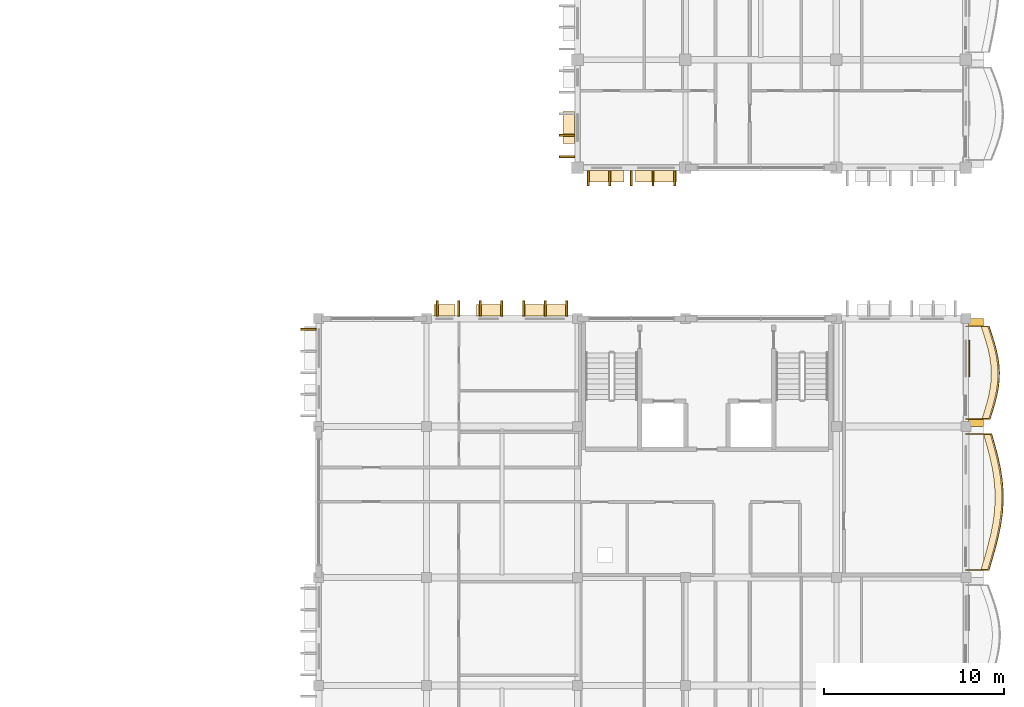
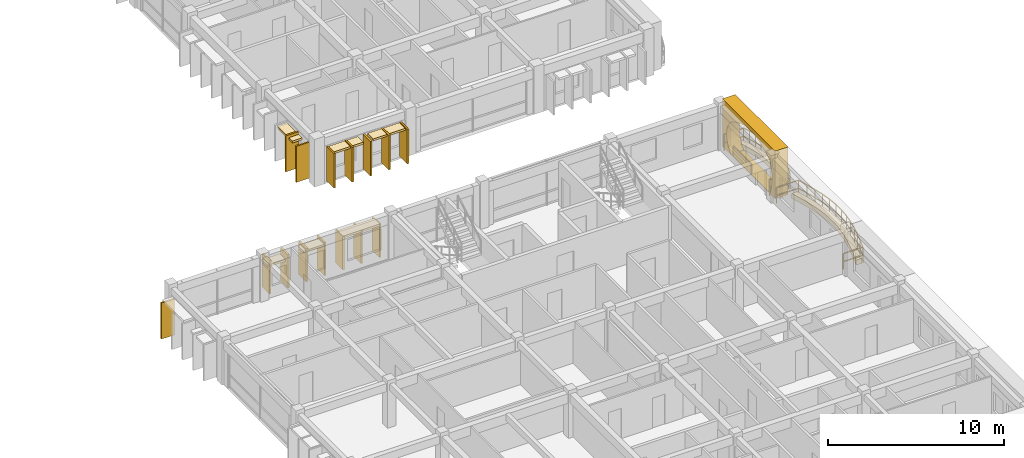
# One storey, part 73 of 79: 25 coverings, 2 railings.
"""IFC4 building model written with IfcOpenShell, lengths in metres."""

from ifc_helpers import new_model, si_unit, direction, frame, origin, origin_2d, place, context, subcontext, project, spatial, polyline, rectangle, outline, extrude, material, layer, layer_set, type_object, element, save


model = new_model("IFC4")

# Units and contexts
model_context = context("Model", 3, precision=1e-05, world=origin(), true_north=direction((0.0, 1.0)))
body_context = subcontext(model_context, "Body", "Model", "MODEL_VIEW")
ifc_project = project(units=[si_unit("LENGTHUNIT", "METRE"), si_unit("AREAUNIT", "SQUARE_METRE"), si_unit("VOLUMEUNIT", "CUBIC_METRE"), si_unit("PLANEANGLEUNIT", "RADIAN"), si_unit("MASSUNIT", "GRAM", prefix="KILO"), si_unit("THERMODYNAMICTEMPERATUREUNIT", "KELVIN")], contexts=[model_context])

# Site, building, storey
site_placement = place(None, origin())
site = spatial("IfcSite", under=ifc_project, at=site_placement, CompositionType="ELEMENT")
building_placement = place(site_placement, origin())
building = spatial("IfcBuilding", under=site, at=building_placement, Name="Thalorik Housing Commons", CompositionType="ELEMENT")
storey_placement = place(building_placement, frame((0.0, 0.0, 11.39990234375)))
storey = spatial("IfcBuildingStorey", under=building, at=storey_placement, Name="L03", CompositionType="ELEMENT", Elevation=11.39990234375)

# Coverings
ifc_material_1 = material(Name="Precast concrete C40/50", Category="concrete")
ifc_layer_1 = layer(ifc_material_1, 0.85009765625, Name="Precast concrete C40/50", Category="concrete")
ifc_layer_set_1 = layer_set([ifc_layer_1], Name="Precast concrete C40/50")
covering_type_1 = type_object("IfcCoveringType", Name="ARC-CLD-CUSH-850", PredefinedType="CLADDING", material=ifc_layer_set_1)
covering_1_placement = place(storey_placement, frame((174.570068359375, 69.0, 0.0), z_axis=(0.0, 0.0, 1.0), x_axis=(0.0, 1.0, 0.0)))
element("IfcCovering", 1, at=covering_1_placement, inside=storey, type_object=covering_type_1, Name="L03 White Precast Curved Cushion Bay Frame 4748", PredefinedType="CLADDING", context=body_context, shape_type="SweptSolid", body=[
    extrude(outline(polyline([(-3.0, 0.0), (3.0, 0.0), (3.0, 3.300048828125), (-3.0, 3.300048828125), (-3.0, 0.0)]), holes=[polyline([(2.0400390625, 0.02490234375), (2.3232421875, 0.40087890625), (2.493408203125, 0.776611328125), (2.550048828125, 1.152587890625), (2.493408203125, 1.5283203125), (2.3232421875, 1.904296875), (2.0400390625, 2.280029296875), (1.66748046875, 2.51123046875), (1.294921875, 2.693115234375), (0.922607421875, 2.840087890625), (0.550048828125, 2.94970703125), (0.177490234375, 3.01708984375), (-0.195068359375, 3.0400390625), (-0.5673828125, 3.01708984375), (-0.93994140625, 2.94970703125), (-1.3125, 2.840087890625), (-1.68505859375, 2.693115234375), (-2.0576171875, 2.51123046875), (-2.429931640625, 2.280029296875), (-2.55029296875, 1.904296875), (-2.62255859375, 1.5283203125), (-2.646484375, 1.152587890625), (-2.62255859375, 0.776611328125), (-2.55029296875, 0.40087890625), (-2.429931640625, 0.02490234375), (2.0400390625, 0.02490234375)])]), frame((0.0, 0.425048828125, 0.0), z_axis=(0.0, -1.0, 0.0), x_axis=(1.0, 0.0, 0.0)), (0.0, 0.0, 1.0), 0.85009765625),
])
ifc_layer_2 = layer(ifc_material_1, 0.85009765625, Name="Precast concrete C40/50", Category="concrete")
ifc_layer_set_2 = layer_set([ifc_layer_2], Name="Precast concrete C40/50")
covering_type_2 = type_object("IfcCoveringType", Name="ARC-CLD-FIN-850", PredefinedType="CLADDING", material=ifc_layer_set_2)
for number, where, z_axis, x_axis, name in (
    (2, (151.81494140625, 82.199951171875, 0.0400390625), (0.0, 0.0, 1.0), (0.0, -1.0, 0.0), "L03 Courtyard Precast Vertical Brise-Soleil Fin 1981"),
    (3, (151.81494140625, 81.0, 0.0400390625), (0.0, 0.0, 1.0), (0.0, -1.0, 0.0), "L03 Courtyard Precast Vertical Brise-Soleil Fin 1982"),
):
    element("IfcCovering", number, at=place(storey_placement, frame(where, z_axis=z_axis, x_axis=x_axis)), inside=storey, type_object=covering_type_2, Name=name, PredefinedType="CLADDING", context=body_context, shape_type="SweptSolid", body=[
        extrude(rectangle(XDim=0.110107421875, YDim=0.85009765625, at=origin_2d()), origin(), (0.0, 0.0, 1.0), 2.4951171875),
    ])
for number, where, z_axis, x_axis, name in (
    (4, (153.0, 79.81494140625, 0.0400390625), (0.0, 0.0, 1.0), (1.0, 0.0, 0.0), "L03 Courtyard Precast Vertical Brise-Soleil Fin 1985"),
    (5, (154.199951171875, 79.81494140625, 0.0400390625), (0.0, 0.0, 1.0), (1.0, 0.0, 0.0), "L03 Courtyard Precast Vertical Brise-Soleil Fin 1986"),
    (6, (155.39990234375, 79.81494140625, 0.0400390625), (0.0, 0.0, 1.0), (1.0, 0.0, 0.0), "L03 Courtyard Precast Vertical Brise-Soleil Fin 1987"),
    (7, (156.60009765625, 79.81494140625, 0.0400390625), (0.0, 0.0, 1.0), (1.0, 0.0, 0.0), "L03 Courtyard Precast Vertical Brise-Soleil Fin 1988"),
    (8, (157.800048828125, 79.81494140625, 0.0400390625), (0.0, 0.0, 1.0), (1.0, 0.0, 0.0), "L03 Courtyard Precast Vertical Brise-Soleil Fin 1989"),
):
    element("IfcCovering", number, at=place(storey_placement, frame(where, z_axis=z_axis, x_axis=x_axis)), inside=storey, type_object=covering_type_2, Name=name, PredefinedType="CLADDING", context=body_context, shape_type="SweptSolid", body=[
        extrude(rectangle(XDim=0.110107421875, YDim=0.85009765625, at=origin_2d()), origin(), (0.0, 0.0, 1.0), 2.39501953125),
    ])
for number, where, z_axis, x_axis, name in (
    (9, (151.800048828125, 72.570068359375, 0.0400390625), (0.0, 0.0, 1.0), (-1.0, 0.0, 0.0), "L03 Courtyard Precast Vertical Brise-Soleil Fin 4690"),
    (10, (150.60009765625, 72.570068359375, 0.0400390625), (0.0, 0.0, 1.0), (-1.0, 0.0, 0.0), "L03 Courtyard Precast Vertical Brise-Soleil Fin 4691"),
    (11, (149.39990234375, 72.570068359375, 0.0400390625), (0.0, 0.0, 1.0), (-1.0, 0.0, 0.0), "L03 Courtyard Precast Vertical Brise-Soleil Fin 4692"),
    (12, (148.199951171875, 72.570068359375, 0.0400390625), (0.0, 0.0, 1.0), (-1.0, 0.0, 0.0), "L03 Courtyard Precast Vertical Brise-Soleil Fin 4693"),
    (13, (147.0, 72.570068359375, 0.0400390625), (0.0, 0.0, 1.0), (-1.0, 0.0, 0.0), "L03 Courtyard Precast Vertical Brise-Soleil Fin 4694"),
    (14, (145.800048828125, 72.570068359375, 0.0400390625), (0.0, 0.0, 1.0), (-1.0, 0.0, 0.0), "L03 Courtyard Precast Vertical Brise-Soleil Fin 4695"),
    (15, (144.60009765625, 72.570068359375, 0.0400390625), (0.0, 0.0, 1.0), (-1.0, 0.0, 0.0), "L03 Courtyard Precast Vertical Brise-Soleil Fin 4696"),
):
    element("IfcCovering", number, at=place(storey_placement, frame(where, z_axis=z_axis, x_axis=x_axis)), inside=storey, type_object=covering_type_2, Name=name, PredefinedType="CLADDING", context=body_context, shape_type="SweptSolid", body=[
        extrude(rectangle(XDim=0.110107421875, YDim=0.85009765625, at=origin_2d()), origin(), (0.0, 0.0, 1.0), 2.294921875),
    ])
covering_2_placement = place(storey_placement, frame((137.429931640625, 71.39990234375, 0.0400390625), z_axis=(0.0, 0.0, 1.0), x_axis=(0.0, -1.0, 0.0)))
element("IfcCovering", 16, at=covering_2_placement, inside=storey, type_object=covering_type_2, Name="L03 Courtyard Precast Vertical Brise-Soleil Fin 4700", PredefinedType="CLADDING", context=body_context, shape_type="SweptSolid", body=[
    extrude(rectangle(XDim=0.110107421875, YDim=0.85009765625, at=origin_2d()), origin(), (0.0, 0.0, 1.0), 2.4951171875),
])
ifc_layer_3 = layer(ifc_material_1, 0.64990234375, Name="Precast concrete C40/50", Category="concrete")
ifc_layer_set_3 = layer_set([ifc_layer_3], Name="Precast concrete C40/50")
covering_type_3 = type_object("IfcCoveringType", Name="ARC-CLD-HOOD-650", PredefinedType="CLADDING", material=ifc_layer_set_3)
covering_3_placement = place(storey_placement, frame((151.9150390625, 82.6298828125, 2.2099609375), z_axis=(0.0, 0.0, 1.0), x_axis=(0.0, -1.0, 0.0)))
element("IfcCovering", 17, at=covering_3_placement, inside=storey, type_object=covering_type_3, Name="L03 Courtyard Precast Window Sun-Hood 1984", PredefinedType="CLADDING", context=body_context, shape_type="SweptSolid", body=[
    extrude(rectangle(XDim=1.760009765625, YDim=0.64990234375, at=origin_2d()), origin(), (0.0, 0.0, 1.0), 0.139892578125),
])
covering_4_placement = place(storey_placement, frame((154.030029296875, 79.9150390625, 2.25), z_axis=(0.0, 0.0, 1.0), x_axis=(1.0, 0.0, 0.0)))
element("IfcCovering", 18, at=covering_4_placement, inside=storey, type_object=covering_type_3, Name="L03 Courtyard Precast Window Sun-Hood 1990", PredefinedType="CLADDING", context=body_context, shape_type="SweptSolid", body=[
    extrude(rectangle(XDim=1.919921875, YDim=0.64990234375, at=origin_2d()), origin(), (0.0, 0.0, 1.0), 0.139892578125),
])
covering_5_placement = place(storey_placement, frame((156.77001953125, 79.9150390625, 2.25), z_axis=(0.0, 0.0, 1.0), x_axis=(1.0, 0.0, 0.0)))
element("IfcCovering", 19, at=covering_5_placement, inside=storey, type_object=covering_type_3, Name="L03 Courtyard Precast Window Sun-Hood 1991", PredefinedType="CLADDING", context=body_context, shape_type="SweptSolid", body=[
    extrude(rectangle(XDim=2.280029296875, YDim=0.64990234375, at=origin_2d()), origin(), (0.0, 0.0, 1.0), 0.139892578125),
])
covering_6_placement = place(storey_placement, frame((150.5751953125, 72.469970703125, 2.22509765625), z_axis=(0.0, 0.0, 1.0), x_axis=(-1.0, 0.0, 0.0)))
element("IfcCovering", 20, at=covering_6_placement, inside=storey, type_object=covering_type_3, Name="L03 Courtyard Precast Window Sun-Hood 4697", PredefinedType="CLADDING", context=body_context, shape_type="SweptSolid", body=[
    extrude(rectangle(XDim=2.419921875, YDim=0.64990234375, at=origin_2d()), origin(), (0.0, 0.0, 1.0), 0.139892578125),
])
covering_7_placement = place(storey_placement, frame((147.4453125, 72.469970703125, 2.09033203125), z_axis=(0.0, 0.0, 1.0), x_axis=(-1.0, 0.0, 0.0)))
element("IfcCovering", 21, at=covering_7_placement, inside=storey, type_object=covering_type_3, Name="L03 Courtyard Precast Window Sun-Hood 4698", PredefinedType="CLADDING", context=body_context, shape_type="SweptSolid", body=[
    extrude(rectangle(XDim=1.340087890625, YDim=0.64990234375, at=origin_2d()), origin(), (0.0, 0.0, 1.0), 0.139892578125),
])
covering_8_placement = place(storey_placement, frame((145.000244140625, 72.469970703125, 1.93994140625), z_axis=(0.0, 0.0, 1.0), x_axis=(-1.0, 0.0, 0.0)))
element("IfcCovering", 22, at=covering_8_placement, inside=storey, type_object=covering_type_3, Name="L03 Courtyard Precast Window Sun-Hood 4699", PredefinedType="CLADDING", context=body_context, shape_type="SweptSolid", body=[
    extrude(rectangle(XDim=1.18994140625, YDim=0.64990234375, at=origin_2d()), origin(), (0.0, 0.0, 1.0), 0.139892578125),
])
ifc_material_2 = material(Name="Mineral ochre architectural terracotta panel", Category="masonry")
ifc_layer_4 = layer(ifc_material_2, 0.06494140625, Name="Mineral ochre architectural terracotta panel", Category="masonry")
ifc_layer_set_4 = layer_set([ifc_layer_4], Name="Mineral ochre architectural terracotta panel")
covering_type_4 = type_object("IfcCoveringType", Name="ARC-CLD-YEL-65", PredefinedType="CLADDING", material=ifc_layer_set_4)
covering_9_placement = place(storey_placement, frame((174.1826171875, 69.7900390625, 0.05029296875), z_axis=(0.0, 0.0, 1.0), x_axis=(0.0, 1.0, 0.0)))
element("IfcCovering", 23, at=covering_9_placement, inside=storey, type_object=covering_type_4, Name="L03 De Stijl Recessed Window Spandrel 4749", PredefinedType="CLADDING", context=body_context, shape_type="SweptSolid", body=[
    extrude(rectangle(XDim=2.0400390625, YDim=0.06494140625, at=origin_2d()), origin(), (0.0, 0.0, 1.0), 0.699951171875),
])
ifc_material_3 = material(Name="Planted vegetated substrate and terracotta trough", Category="masonry")
ifc_layer_5 = layer(ifc_material_3, 0.340087890625, Name="Planted vegetated substrate and terracotta trough", Category="masonry")
ifc_layer_set_5 = layer_set([ifc_layer_5], Name="Planted vegetated substrate and terracotta trough")
covering_type_5 = type_object("IfcCoveringType", Name="ARC-COV-PLANTER", PredefinedType="USERDEFINED", material=ifc_layer_set_5)
covering_10_placement = place(storey_placement, origin())
element("IfcCovering", 24, at=covering_10_placement, inside=storey, type_object=covering_type_5, Name="L03 Balcony Slab-Edge Planted Trough 5658", ObjectType="PLANTER", PredefinedType="USERDEFINED", context=body_context, shape_type="SweptSolid", body=[
    extrude(outline(polyline([(175.219482421875, 58.02001953125), (175.40478515625, 58.64990234375), (175.583251953125, 59.280029296875), (175.74267578125, 59.909912109375), (175.87158203125, 60.5400390625), (175.961181640625, 61.169921875), (176.00537109375, 61.800048828125), (176.000732421875, 62.429931640625), (175.947509765625, 63.06005859375), (175.84912109375, 63.68994140625), (175.71240234375, 64.320068359375), (175.546875, 64.949951171875), (175.36376953125, 65.580078125), (174.98388671875, 65.580078125), (175.1669921875, 64.949951171875), (175.33251953125, 64.320068359375), (175.468994140625, 63.68994140625), (175.5673828125, 63.06005859375), (175.62060546875, 62.429931640625), (175.62548828125, 61.800048828125), (175.581298828125, 61.169921875), (175.49169921875, 60.5400390625), (175.362548828125, 59.909912109375), (175.203369140625, 59.280029296875), (175.02490234375, 58.64990234375), (174.83935546875, 58.02001953125), (175.219482421875, 58.02001953125)])), origin(), (0.0, 0.0, 1.0), 0.340087890625),
])
covering_11_placement = place(storey_placement, origin())
element("IfcCovering", 25, at=covering_11_placement, inside=storey, type_object=covering_type_5, Name="L03 Balcony Slab-Edge Planted Trough 5659", ObjectType="PLANTER", PredefinedType="USERDEFINED", context=body_context, shape_type="SweptSolid", body=[
    extrude(outline(polyline([(175.27734375, 66.419921875), (175.414306640625, 66.85009765625), (175.5419921875, 67.280029296875), (175.65087890625, 67.7099609375), (175.7333984375, 68.139892578125), (175.782958984375, 68.570068359375), (175.796142578125, 69.0), (175.771484375, 69.429931640625), (175.710693359375, 69.860107421875), (175.6181640625, 70.2900390625), (175.5, 70.719970703125), (175.364501953125, 71.14990234375), (175.2216796875, 71.580078125), (174.841796875, 71.580078125), (174.984619140625, 71.14990234375), (175.119873046875, 70.719970703125), (175.238037109375, 70.2900390625), (175.330810546875, 69.860107421875), (175.3916015625, 69.429931640625), (175.416015625, 69.0), (175.403076171875, 68.570068359375), (175.353271484375, 68.139892578125), (175.27099609375, 67.7099609375), (175.161865234375, 67.280029296875), (175.0341796875, 66.85009765625), (174.897216796875, 66.419921875), (175.27734375, 66.419921875)])), origin(), (0.0, 0.0, 1.0), 0.340087890625),
])

# Railings
ifc_material_4 = material(Name="Steel S355", Category="steel")
railing_type_1 = type_object("IfcRailingType", Name="ARC-RL-BAL-112", PredefinedType="BALUSTRADE", material=ifc_material_4)
railing_1_placement = place(storey_placement, frame((174.0, 58.02001953125, 0.0)))
element("IfcRailing", 26, at=railing_1_placement, inside=storey, type_object=railing_type_1, Name="L03 Cushion Balcony Guardrail 342", PredefinedType="BALUSTRADE", context=body_context, shape_type="SweptSolid", body=[
    extrude(rectangle(XDim=0.050048828125, YDim=0.050048828125, at=origin_2d()), frame((0.0, 0.0, 1.09521484375), z_axis=(1.0, 0.0, 0.0), x_axis=(0.0, 1.0, 0.0)), (0.0, 0.0, 1.0), 1.289306640625),
    extrude(rectangle(XDim=0.050048828125, YDim=0.050048828125, at=origin_2d()), frame((0.0, 0.0, 0.53515625), z_axis=(1.0, 0.0, 0.0), x_axis=(0.0, 1.0, 0.0)), (0.0, 0.0, 1.0), 1.289306640625),
    extrude(rectangle(XDim=0.050048828125, YDim=0.050048828125, at=origin_2d()), frame((1.289306640625, 0.0, 1.09521484375), z_axis=(0.282568886397, 0.959247009086, 0.0), x_axis=(-0.959247009086, 0.282568886397, 0.0)), (0.0, 0.0, 1.0), 0.65673828125),
    extrude(rectangle(XDim=0.050048828125, YDim=0.050048828125, at=origin_2d()), frame((1.289306640625, 0.0, 0.53515625), z_axis=(0.282568886397, 0.959247009086, 0.0), x_axis=(-0.959247009086, 0.282568886397, 0.0)), (0.0, 0.0, 1.0), 0.65673828125),
    extrude(rectangle(XDim=0.050048828125, YDim=0.050048828125, at=origin_2d()), frame((1.474853515625, 0.6298828125, 1.09521484375), z_axis=(0.272504798034, 0.962154423702, 0.0), x_axis=(-0.962154423702, 0.272504798034, 0.0)), (0.0, 0.0, 1.0), 0.655029296875),
    extrude(rectangle(XDim=0.050048828125, YDim=0.050048828125, at=origin_2d()), frame((1.474853515625, 0.6298828125, 0.53515625), z_axis=(0.272504798034, 0.962154423702, 0.0), x_axis=(-0.962154423702, 0.272504798034, 0.0)), (0.0, 0.0, 1.0), 0.655029296875),
    extrude(rectangle(XDim=0.050048828125, YDim=0.050048828125, at=origin_2d()), frame((1.6533203125, 1.260009765625, 1.09521484375), z_axis=(0.245010582788, 0.969520404283, 0.0), x_axis=(-0.969520404283, 0.245010582788, 0.0)), (0.0, 0.0, 1.0), 0.649658203125),
    extrude(rectangle(XDim=0.050048828125, YDim=0.050048828125, at=origin_2d()), frame((1.6533203125, 1.260009765625, 0.53515625), z_axis=(0.245010582788, 0.969520404283, 0.0), x_axis=(-0.969520404283, 0.245010582788, 0.0)), (0.0, 0.0, 1.0), 0.649658203125),
    extrude(rectangle(XDim=0.050048828125, YDim=0.050048828125, at=origin_2d()), frame((1.8125, 1.889892578125, 1.09521484375), z_axis=(0.200785373927, 0.979635255397, 0.0), x_axis=(-0.979635255397, 0.200785373927, 0.0)), (0.0, 0.0, 1.0), 0.643310546875),
    extrude(rectangle(XDim=0.050048828125, YDim=0.050048828125, at=origin_2d()), frame((1.8125, 1.889892578125, 0.53515625), z_axis=(0.200785373927, 0.979635255397, 0.0), x_axis=(-0.979635255397, 0.200785373927, 0.0)), (0.0, 0.0, 1.0), 0.643310546875),
    extrude(rectangle(XDim=0.050048828125, YDim=0.050048828125, at=origin_2d()), frame((1.941650390625, 2.52001953125, 1.09521484375), z_axis=(0.140830380668, 0.990033738759, 0.0), x_axis=(-0.990033738759, 0.140830380668, 0.0)), (0.0, 0.0, 1.0), 0.63623046875),
    extrude(rectangle(XDim=0.050048828125, YDim=0.050048828125, at=origin_2d()), frame((1.941650390625, 2.52001953125, 0.53515625), z_axis=(0.140830380668, 0.990033738759, 0.0), x_axis=(-0.990033738759, 0.140830380668, 0.0)), (0.0, 0.0, 1.0), 0.63623046875),
    extrude(rectangle(XDim=0.050048828125, YDim=0.050048828125, at=origin_2d()), frame((2.03125, 3.14990234375, 1.09521484375), z_axis=(0.069956049394, 0.997550074509, 0.0), x_axis=(-0.997550074509, 0.069956049394, 0.0)), (0.0, 0.0, 1.0), 0.631591796875),
    extrude(rectangle(XDim=0.050048828125, YDim=0.050048828125, at=origin_2d()), frame((2.03125, 3.14990234375, 0.53515625), z_axis=(0.069956049394, 0.997550074509, 0.0), x_axis=(-0.997550074509, 0.069956049394, 0.0)), (0.0, 0.0, 1.0), 0.631591796875),
    extrude(rectangle(XDim=0.050048828125, YDim=0.050048828125, at=origin_2d()), frame((2.075439453125, 3.780029296875, 1.09521484375), z_axis=(-0.007364141396, 0.999972884343, 0.0), x_axis=(-0.999972884343, -0.007364141396, 0.0)), (0.0, 0.0, 1.0), 0.6298828125),
    extrude(rectangle(XDim=0.050048828125, YDim=0.050048828125, at=origin_2d()), frame((2.075439453125, 3.780029296875, 0.53515625), z_axis=(-0.007364141396, 0.999972884343, 0.0), x_axis=(-0.999972884343, -0.007364141396, 0.0)), (0.0, 0.0, 1.0), 0.6298828125),
    extrude(rectangle(XDim=0.050048828125, YDim=0.050048828125, at=origin_2d()), frame((2.07080078125, 4.409912109375, 1.09521484375), z_axis=(-0.084547023785, 0.99641949036, 0.0), x_axis=(-0.99641949036, -0.084547023785, 0.0)), (0.0, 0.0, 1.0), 0.63232421875),
    extrude(rectangle(XDim=0.050048828125, YDim=0.050048828125, at=origin_2d()), frame((2.07080078125, 4.409912109375, 0.53515625), z_axis=(-0.084547023785, 0.99641949036, 0.0), x_axis=(-0.99641949036, -0.084547023785, 0.0)), (0.0, 0.0, 1.0), 0.63232421875),
    extrude(rectangle(XDim=0.050048828125, YDim=0.050048828125, at=origin_2d()), frame((2.017333984375, 5.0400390625, 1.09521484375), z_axis=(-0.154330151775, 0.988019333947, 0.0), x_axis=(-0.988019333947, -0.154330151775, 0.0)), (0.0, 0.0, 1.0), 0.637451171875),
    extrude(rectangle(XDim=0.050048828125, YDim=0.050048828125, at=origin_2d()), frame((2.017333984375, 5.0400390625, 0.53515625), z_axis=(-0.154330151775, 0.988019333947, 0.0), x_axis=(-0.988019333947, -0.154330151775, 0.0)), (0.0, 0.0, 1.0), 0.637451171875),
    extrude(rectangle(XDim=0.050048828125, YDim=0.050048828125, at=origin_2d()), frame((1.9189453125, 5.669921875, 1.09521484375), z_axis=(-0.211674980595, 0.977340116127, 0.0), x_axis=(-0.977340116127, -0.211674980595, 0.0)), (0.0, 0.0, 1.0), 0.644775390625),
    extrude(rectangle(XDim=0.050048828125, YDim=0.050048828125, at=origin_2d()), frame((1.9189453125, 5.669921875, 0.53515625), z_axis=(-0.211674980595, 0.977340116127, 0.0), x_axis=(-0.977340116127, -0.211674980595, 0.0)), (0.0, 0.0, 1.0), 0.644775390625),
    extrude(rectangle(XDim=0.050048828125, YDim=0.050048828125, at=origin_2d()), frame((1.782470703125, 6.300048828125, 1.09521484375), z_axis=(-0.254161146498, 0.967161884904, 0.0), x_axis=(-0.967161884904, -0.254161146498, 0.0)), (0.0, 0.0, 1.0), 0.6513671875),
    extrude(rectangle(XDim=0.050048828125, YDim=0.050048828125, at=origin_2d()), frame((1.782470703125, 6.300048828125, 0.53515625), z_axis=(-0.254161146498, 0.967161884904, 0.0), x_axis=(-0.967161884904, -0.254161146498, 0.0)), (0.0, 0.0, 1.0), 0.6513671875),
    extrude(rectangle(XDim=0.050048828125, YDim=0.050048828125, at=origin_2d()), frame((1.616943359375, 6.929931640625, 1.09521484375), z_axis=(-0.279042632959, 0.960278714224, 0.0), x_axis=(-0.960278714224, -0.279042632959, 0.0)), (0.0, 0.0, 1.0), 0.65625),
    extrude(rectangle(XDim=0.050048828125, YDim=0.050048828125, at=origin_2d()), frame((1.616943359375, 6.929931640625, 0.53515625), z_axis=(-0.279042632959, 0.960278714224, 0.0), x_axis=(-0.960278714224, -0.279042632959, 0.0)), (0.0, 0.0, 1.0), 0.65625),
    extrude(rectangle(XDim=0.050048828125, YDim=0.050048828125, at=origin_2d()), frame((1.433837890625, 7.56005859375, 1.09521484375), z_axis=(-1.0, 0.0, 0.0), x_axis=(0.0, -1.0, 0.0)), (0.0, 0.0, 1.0), 1.433837890625),
    extrude(rectangle(XDim=0.050048828125, YDim=0.050048828125, at=origin_2d()), frame((1.433837890625, 7.56005859375, 0.53515625), z_axis=(-1.0, 0.0, 0.0), x_axis=(0.0, -1.0, 0.0)), (0.0, 0.0, 1.0), 1.433837890625),
    extrude(rectangle(XDim=0.0419921875, YDim=0.0419921875, at=origin_2d()), origin(), (0.0, 0.0, 1.0), 1.070068359375),
    extrude(rectangle(XDim=0.0419921875, YDim=0.0419921875, at=origin_2d()), frame((1.289306640625, 0.0, 0.0)), (0.0, 0.0, 1.0), 1.070068359375),
    extrude(rectangle(XDim=0.0419921875, YDim=0.0419921875, at=origin_2d()), frame((1.474853515625, 0.6298828125, 0.0)), (0.0, 0.0, 1.0), 1.070068359375),
    extrude(rectangle(XDim=0.0419921875, YDim=0.0419921875, at=origin_2d()), frame((1.6533203125, 1.260009765625, 0.0)), (0.0, 0.0, 1.0), 1.070068359375),
    extrude(rectangle(XDim=0.0419921875, YDim=0.0419921875, at=origin_2d()), frame((1.8125, 1.889892578125, 0.0)), (0.0, 0.0, 1.0), 1.070068359375),
    extrude(rectangle(XDim=0.0419921875, YDim=0.0419921875, at=origin_2d()), frame((1.941650390625, 2.52001953125, 0.0)), (0.0, 0.0, 1.0), 1.070068359375),
    extrude(rectangle(XDim=0.0419921875, YDim=0.0419921875, at=origin_2d()), frame((2.03125, 3.14990234375, 0.0)), (0.0, 0.0, 1.0), 1.070068359375),
    extrude(rectangle(XDim=0.0419921875, YDim=0.0419921875, at=origin_2d()), frame((2.075439453125, 3.780029296875, 0.0)), (0.0, 0.0, 1.0), 1.070068359375),
    extrude(rectangle(XDim=0.0419921875, YDim=0.0419921875, at=origin_2d()), frame((2.07080078125, 4.409912109375, 0.0)), (0.0, 0.0, 1.0), 1.070068359375),
    extrude(rectangle(XDim=0.0419921875, YDim=0.0419921875, at=origin_2d()), frame((2.017333984375, 5.0400390625, 0.0)), (0.0, 0.0, 1.0), 1.070068359375),
    extrude(rectangle(XDim=0.0419921875, YDim=0.0419921875, at=origin_2d()), frame((1.9189453125, 5.669921875, 0.0)), (0.0, 0.0, 1.0), 1.070068359375),
    extrude(rectangle(XDim=0.0419921875, YDim=0.0419921875, at=origin_2d()), frame((1.782470703125, 6.300048828125, 0.0)), (0.0, 0.0, 1.0), 1.070068359375),
    extrude(rectangle(XDim=0.0419921875, YDim=0.0419921875, at=origin_2d()), frame((1.616943359375, 6.929931640625, 0.0)), (0.0, 0.0, 1.0), 1.070068359375),
    extrude(rectangle(XDim=0.0419921875, YDim=0.0419921875, at=origin_2d()), frame((1.433837890625, 7.56005859375, 0.0)), (0.0, 0.0, 1.0), 1.070068359375),
    extrude(rectangle(XDim=0.0419921875, YDim=0.0419921875, at=origin_2d()), frame((0.0, 7.56005859375, 0.0)), (0.0, 0.0, 1.0), 1.070068359375),
])
railing_type_2 = type_object("IfcRailingType", Name="ARC-RL-BAL-115", PredefinedType="BALUSTRADE", material=ifc_material_4)
railing_2_placement = place(storey_placement, frame((174.0, 66.419921875, 0.0)))
element("IfcRailing", 27, at=railing_2_placement, inside=storey, type_object=railing_type_2, Name="L03 Cushion Balcony Guardrail 343", PredefinedType="BALUSTRADE", context=body_context, shape_type="SweptSolid", body=[
    extrude(rectangle(XDim=0.050048828125, YDim=0.050048828125, at=origin_2d()), frame((0.0, 0.0, 1.125), z_axis=(1.0, 0.0, 0.0), x_axis=(0.0, 1.0, 0.0)), (0.0, 0.0, 1.0), 1.347412109375),
    extrude(rectangle(XDim=0.050048828125, YDim=0.050048828125, at=origin_2d()), frame((0.0, 0.0, 0.5498046875), z_axis=(1.0, 0.0, 0.0), x_axis=(0.0, 1.0, 0.0)), (0.0, 0.0, 1.0), 1.347412109375),
    extrude(rectangle(XDim=0.050048828125, YDim=0.050048828125, at=origin_2d()), frame((1.347412109375, 0.0, 1.125), z_axis=(0.303382223692, 0.952868945001, 0.0), x_axis=(-0.952868945001, 0.303382223692, 0.0)), (0.0, 0.0, 1.0), 0.451416015625),
    extrude(rectangle(XDim=0.050048828125, YDim=0.050048828125, at=origin_2d()), frame((1.347412109375, 0.0, 0.5498046875), z_axis=(0.303382223692, 0.952868945001, 0.0), x_axis=(-0.952868945001, 0.303382223692, 0.0)), (0.0, 0.0, 1.0), 0.451416015625),
    extrude(rectangle(XDim=0.050048828125, YDim=0.050048828125, at=origin_2d()), frame((1.484375, 0.43017578125, 1.125), z_axis=(0.284199550807, 0.958765151286, 0.0), x_axis=(-0.958765151286, 0.284199550807, 0.0)), (0.0, 0.0, 1.0), 0.448486328125),
    extrude(rectangle(XDim=0.050048828125, YDim=0.050048828125, at=origin_2d()), frame((1.484375, 0.43017578125, 0.5498046875), z_axis=(0.284199550807, 0.958765151286, 0.0), x_axis=(-0.958765151286, 0.284199550807, 0.0)), (0.0, 0.0, 1.0), 0.448486328125),
    extrude(rectangle(XDim=0.050048828125, YDim=0.050048828125, at=origin_2d()), frame((1.61181640625, 0.860107421875, 1.125), z_axis=(0.246030735981, 0.969262026984, 0.0), x_axis=(-0.969262026984, 0.246030735981, 0.0)), (0.0, 0.0, 1.0), 0.443603515625),
    extrude(rectangle(XDim=0.050048828125, YDim=0.050048828125, at=origin_2d()), frame((1.61181640625, 0.860107421875, 0.5498046875), z_axis=(0.246030735981, 0.969262026984, 0.0), x_axis=(-0.969262026984, 0.246030735981, 0.0)), (0.0, 0.0, 1.0), 0.443603515625),
    extrude(rectangle(XDim=0.050048828125, YDim=0.050048828125, at=origin_2d()), frame((1.720947265625, 1.2900390625, 1.125), z_axis=(0.187957799209, 0.982177105066, 0.0), x_axis=(-0.982177105066, 0.187957799209, 0.0)), (0.0, 0.0, 1.0), 0.437744140625),
    extrude(rectangle(XDim=0.050048828125, YDim=0.050048828125, at=origin_2d()), frame((1.720947265625, 1.2900390625, 0.5498046875), z_axis=(0.187957799209, 0.982177105066, 0.0), x_axis=(-0.982177105066, 0.187957799209, 0.0)), (0.0, 0.0, 1.0), 0.437744140625),
    extrude(rectangle(XDim=0.050048828125, YDim=0.050048828125, at=origin_2d()), frame((1.80322265625, 1.719970703125, 1.125), z_axis=(0.115009274268, 0.993364417942, 0.0), x_axis=(-0.993364417942, 0.115009274268, 0.0)), (0.0, 0.0, 1.0), 0.43310546875),
    extrude(rectangle(XDim=0.050048828125, YDim=0.050048828125, at=origin_2d()), frame((1.80322265625, 1.719970703125, 0.5498046875), z_axis=(0.115009274268, 0.993364417942, 0.0), x_axis=(-0.993364417942, 0.115009274268, 0.0)), (0.0, 0.0, 1.0), 0.43310546875),
    extrude(rectangle(XDim=0.050048828125, YDim=0.050048828125, at=origin_2d()), frame((1.85302734375, 2.150146484375, 1.125), z_axis=(0.030649988445, 0.999530178738, 0.0), x_axis=(-0.999530178738, 0.030649988445, 0.0)), (0.0, 0.0, 1.0), 0.43017578125),
    extrude(rectangle(XDim=0.050048828125, YDim=0.050048828125, at=origin_2d()), frame((1.85302734375, 2.150146484375, 0.5498046875), z_axis=(0.030649988445, 0.999530178738, 0.0), x_axis=(-0.999530178738, 0.030649988445, 0.0)), (0.0, 0.0, 1.0), 0.43017578125),
    extrude(rectangle(XDim=0.050048828125, YDim=0.050048828125, at=origin_2d()), frame((1.8662109375, 2.580078125, 1.125), z_axis=(-0.057259677, 0.998359318778, 0.0), x_axis=(-0.998359318778, -0.057259677, 0.0)), (0.0, 0.0, 1.0), 0.4306640625),
    extrude(rectangle(XDim=0.050048828125, YDim=0.050048828125, at=origin_2d()), frame((1.8662109375, 2.580078125, 0.5498046875), z_axis=(-0.057259677, 0.998359318778, 0.0), x_axis=(-0.998359318778, -0.057259677, 0.0)), (0.0, 0.0, 1.0), 0.4306640625),
    extrude(rectangle(XDim=0.050048828125, YDim=0.050048828125, at=origin_2d()), frame((1.841552734375, 3.010009765625, 1.125), z_axis=(-0.139926398947, 0.990161907406, 0.0), x_axis=(-0.990161907406, -0.139926398947, 0.0)), (0.0, 0.0, 1.0), 0.4345703125),
    extrude(rectangle(XDim=0.050048828125, YDim=0.050048828125, at=origin_2d()), frame((1.841552734375, 3.010009765625, 0.5498046875), z_axis=(-0.139926398947, 0.990161907406, 0.0), x_axis=(-0.990161907406, -0.139926398947, 0.0)), (0.0, 0.0, 1.0), 0.4345703125),
    extrude(rectangle(XDim=0.050048828125, YDim=0.050048828125, at=origin_2d()), frame((1.78076171875, 3.440185546875, 1.125), z_axis=(-0.210931472688, 0.977500851063, 0.0), x_axis=(-0.977500851063, -0.210931472688, 0.0)), (0.0, 0.0, 1.0), 0.43994140625),
    extrude(rectangle(XDim=0.050048828125, YDim=0.050048828125, at=origin_2d()), frame((1.78076171875, 3.440185546875, 0.5498046875), z_axis=(-0.210931472688, 0.977500851063, 0.0), x_axis=(-0.977500851063, -0.210931472688, 0.0)), (0.0, 0.0, 1.0), 0.43994140625),
    extrude(rectangle(XDim=0.050048828125, YDim=0.050048828125, at=origin_2d()), frame((1.68798828125, 3.8701171875, 1.125), z_axis=(-0.265016489476, 0.964243880098, 0.0), x_axis=(-0.964243880098, -0.265016489476, 0.0)), (0.0, 0.0, 1.0), 0.44580078125),
    extrude(rectangle(XDim=0.050048828125, YDim=0.050048828125, at=origin_2d()), frame((1.68798828125, 3.8701171875, 0.5498046875), z_axis=(-0.265016489476, 0.964243880098, 0.0), x_axis=(-0.964243880098, -0.265016489476, 0.0)), (0.0, 0.0, 1.0), 0.44580078125),
    extrude(rectangle(XDim=0.050048828125, YDim=0.050048828125, at=origin_2d()), frame((1.56982421875, 4.300048828125, 1.125), z_axis=(-0.300094208559, 0.953909569084, 0.0), x_axis=(-0.953909569084, -0.300094208559, 0.0)), (0.0, 0.0, 1.0), 0.45068359375),
    extrude(rectangle(XDim=0.050048828125, YDim=0.050048828125, at=origin_2d()), frame((1.56982421875, 4.300048828125, 0.5498046875), z_axis=(-0.300094208559, 0.953909569084, 0.0), x_axis=(-0.953909569084, -0.300094208559, 0.0)), (0.0, 0.0, 1.0), 0.45068359375),
    extrude(rectangle(XDim=0.050048828125, YDim=0.050048828125, at=origin_2d()), frame((1.4345703125, 4.72998046875, 1.125), z_axis=(-0.31509642587, 0.949059662194, 0.0), x_axis=(-0.949059662194, -0.31509642587, 0.0)), (0.0, 0.0, 1.0), 0.453369140625),
    extrude(rectangle(XDim=0.050048828125, YDim=0.050048828125, at=origin_2d()), frame((1.4345703125, 4.72998046875, 0.5498046875), z_axis=(-0.31509642587, 0.949059662194, 0.0), x_axis=(-0.949059662194, -0.31509642587, 0.0)), (0.0, 0.0, 1.0), 0.453369140625),
    extrude(rectangle(XDim=0.050048828125, YDim=0.050048828125, at=origin_2d()), frame((1.291748046875, 5.16015625, 1.125), z_axis=(-1.0, 0.0, 0.0), x_axis=(0.0, -1.0, 0.0)), (0.0, 0.0, 1.0), 1.291748046875),
    extrude(rectangle(XDim=0.050048828125, YDim=0.050048828125, at=origin_2d()), frame((1.291748046875, 5.16015625, 0.5498046875), z_axis=(-1.0, 0.0, 0.0), x_axis=(0.0, -1.0, 0.0)), (0.0, 0.0, 1.0), 1.291748046875),
    extrude(rectangle(XDim=0.0419921875, YDim=0.0419921875, at=origin_2d()), origin(), (0.0, 0.0, 1.0), 1.099853515625),
    extrude(rectangle(XDim=0.0419921875, YDim=0.0419921875, at=origin_2d()), frame((1.347412109375, 0.0, 0.0)), (0.0, 0.0, 1.0), 1.099853515625),
    extrude(rectangle(XDim=0.0419921875, YDim=0.0419921875, at=origin_2d()), frame((1.484375, 0.43017578125, 0.0)), (0.0, 0.0, 1.0), 1.099853515625),
    extrude(rectangle(XDim=0.0419921875, YDim=0.0419921875, at=origin_2d()), frame((1.61181640625, 0.860107421875, 0.0)), (0.0, 0.0, 1.0), 1.099853515625),
    extrude(rectangle(XDim=0.0419921875, YDim=0.0419921875, at=origin_2d()), frame((1.720947265625, 1.2900390625, 0.0)), (0.0, 0.0, 1.0), 1.099853515625),
    extrude(rectangle(XDim=0.0419921875, YDim=0.0419921875, at=origin_2d()), frame((1.80322265625, 1.719970703125, 0.0)), (0.0, 0.0, 1.0), 1.099853515625),
    extrude(rectangle(XDim=0.0419921875, YDim=0.0419921875, at=origin_2d()), frame((1.85302734375, 2.150146484375, 0.0)), (0.0, 0.0, 1.0), 1.099853515625),
    extrude(rectangle(XDim=0.0419921875, YDim=0.0419921875, at=origin_2d()), frame((1.8662109375, 2.580078125, 0.0)), (0.0, 0.0, 1.0), 1.099853515625),
    extrude(rectangle(XDim=0.0419921875, YDim=0.0419921875, at=origin_2d()), frame((1.841552734375, 3.010009765625, 0.0)), (0.0, 0.0, 1.0), 1.099853515625),
    extrude(rectangle(XDim=0.0419921875, YDim=0.0419921875, at=origin_2d()), frame((1.78076171875, 3.440185546875, 0.0)), (0.0, 0.0, 1.0), 1.099853515625),
    extrude(rectangle(XDim=0.0419921875, YDim=0.0419921875, at=origin_2d()), frame((1.68798828125, 3.8701171875, 0.0)), (0.0, 0.0, 1.0), 1.099853515625),
    extrude(rectangle(XDim=0.0419921875, YDim=0.0419921875, at=origin_2d()), frame((1.56982421875, 4.300048828125, 0.0)), (0.0, 0.0, 1.0), 1.099853515625),
    extrude(rectangle(XDim=0.0419921875, YDim=0.0419921875, at=origin_2d()), frame((1.4345703125, 4.72998046875, 0.0)), (0.0, 0.0, 1.0), 1.099853515625),
    extrude(rectangle(XDim=0.0419921875, YDim=0.0419921875, at=origin_2d()), frame((1.291748046875, 5.16015625, 0.0)), (0.0, 0.0, 1.0), 1.099853515625),
    extrude(rectangle(XDim=0.0419921875, YDim=0.0419921875, at=origin_2d()), frame((0.0, 5.16015625, 0.0)), (0.0, 0.0, 1.0), 1.099853515625),
])

save(model, "model.ifc")
